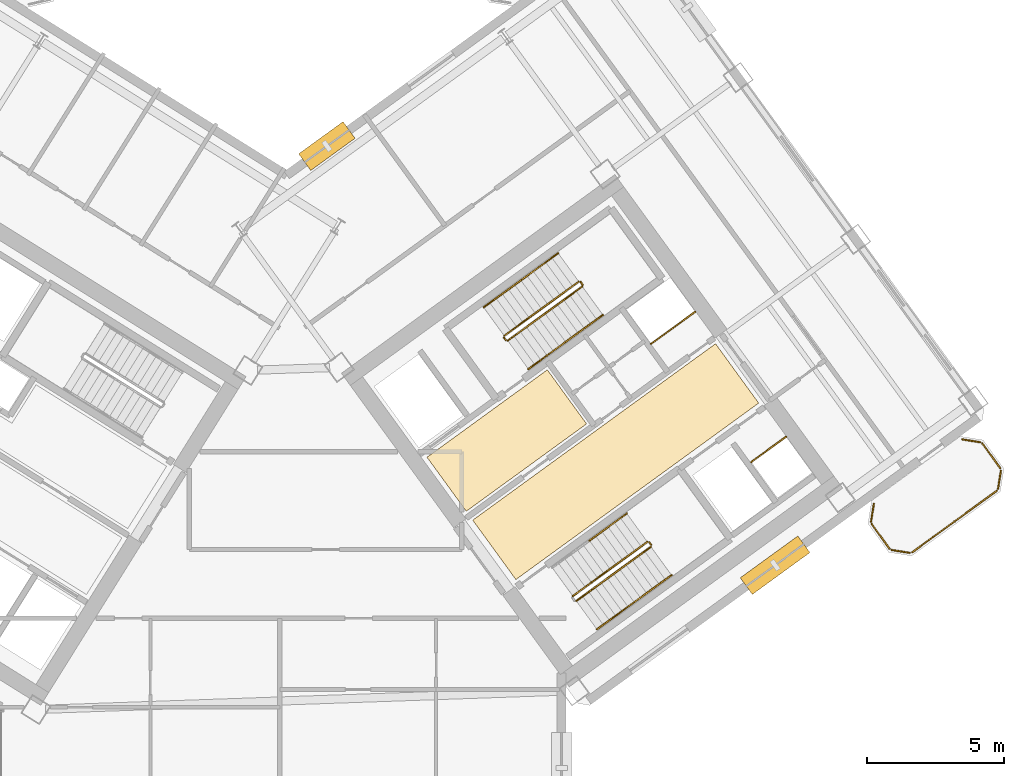
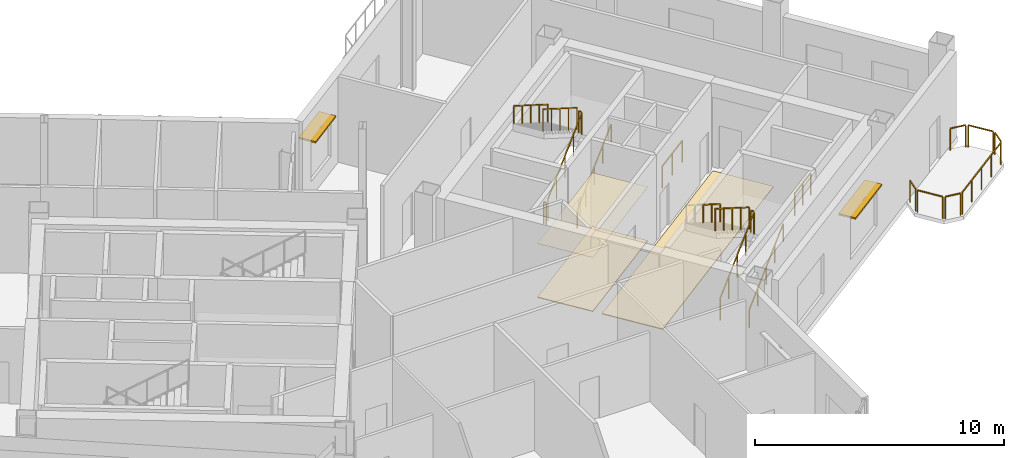
# One storey, part 19 of 20: 23 railings, 3 coverings, 2 shading devices.
"""IFC4 building model written with IfcOpenShell, lengths in metres."""

from ifc_helpers import new_model, si_unit, direction, frame, origin, origin_2d, place, context, subcontext, project, spatial, polyline, rectangle, outline, extrude, source, transform, mapped, material, layer, layer_set, type_object, element, save


model = new_model("IFC4")

# Units and contexts
model_context = context("Model", 3, precision=1e-05, world=origin(), true_north=direction((0.0, 1.0)))
body_context = subcontext(model_context, "Body", "Model", "MODEL_VIEW")
ifc_project = project(units=[si_unit("LENGTHUNIT", "METRE"), si_unit("AREAUNIT", "SQUARE_METRE"), si_unit("VOLUMEUNIT", "CUBIC_METRE"), si_unit("PLANEANGLEUNIT", "RADIAN"), si_unit("MASSUNIT", "GRAM", prefix="KILO")], contexts=[model_context])

# Site, building, storey
site_placement = place(None, origin())
site = spatial("IfcSite", under=ifc_project, at=site_placement, CompositionType="ELEMENT")
building_placement = place(site_placement, origin())
building = spatial("IfcBuilding", under=site, at=building_placement, Name="Tlacorven Tower", CompositionType="ELEMENT")
storey_placement = place(building_placement, frame((0.0, 0.0, 195.0)))
storey = spatial("IfcBuildingStorey", under=building, at=storey_placement, Name="L49", CompositionType="ELEMENT", Elevation=195.0)

# Coverings
ifc_material_1 = material(Name="Acoustic mineral-fibre ceiling")
ifc_layer_1 = layer(ifc_material_1, 0.02490234375)
ifc_layer_set_1 = layer_set([ifc_layer_1], Name="Acoustic mineral-fibre ceiling")
covering_type_1 = type_object("IfcCoveringType", Name="CV-CLG-ACST", PredefinedType="CEILING", material=ifc_layer_set_1)
covering_1_placement = place(storey_placement, frame((0.0, 0.0, 2.64990234375)))
element("IfcCovering", 1, at=covering_1_placement, inside=storey, type_object=covering_type_1, Name="L49 Acoustic Suspended Ceiling 3", PredefinedType="CEILING", context=body_context, shape_type="SweptSolid", body=[
    extrude(outline(polyline([(48.760498046875, 19.326171875), (47.326171875, 21.300048828125), (51.71923828125, 24.49169921875), (53.1533203125, 22.517822265625), (48.760498046875, 19.326171875)])), origin(), (0.0, 0.0, 1.0), 0.025146484375),
])
ifc_material_2 = material(Name="Terrazzo and ceramic flooring")
ifc_layer_2 = layer(ifc_material_2, 0.0400390625)
ifc_layer_set_2 = layer_set([ifc_layer_2], Name="Terrazzo and ceramic flooring")
covering_type_2 = type_object("IfcCoveringType", Name="CV-FLR-TERZ", PredefinedType="FLOORING", material=ifc_layer_set_2)
covering_2_placement = place(storey_placement, origin())
element("IfcCovering", 2, at=covering_2_placement, inside=storey, type_object=covering_type_2, Name="L49 Terrazzo Floor Finish 3", PredefinedType="FLOORING", context=body_context, shape_type="SweptSolid", body=[
    extrude(outline(polyline([(48.760498046875, 19.326171875), (47.326171875, 21.300048828125), (51.71923828125, 24.49169921875), (53.1533203125, 22.517822265625), (48.760498046875, 19.326171875)])), origin(), (0.0, 0.0, 1.0), 0.0400390625),
])
covering_3_placement = place(storey_placement, origin())
element("IfcCovering", 3, at=covering_3_placement, inside=storey, type_object=covering_type_2, Name="L49 Terrazzo Floor Finish 4", PredefinedType="FLOORING", context=body_context, shape_type="SweptSolid", body=[
    extrude(outline(polyline([(50.57080078125, 16.834228515625), (48.99560546875, 19.00244140625), (57.8623046875, 25.444580078125), (59.437744140625, 23.2763671875), (50.57080078125, 16.834228515625)])), origin(), (0.0, 0.0, 1.0), 0.0400390625),
])

# Railings
ifc_material_3 = material(Name="Aluminium and painted steel balustrade", Category="steel")
railing_type_1 = type_object("IfcRailingType", Name="RL-GRD-1100", PredefinedType="GUARDRAIL", material=ifc_material_3)
shared_shape_1 = source(origin(), body_context, "Body", "SweptSolid", [
    extrude(rectangle(XDim=0.048095703125, YDim=0.048095703125, at=origin_2d()), frame((0.0, 0.0, 1.076171875), z_axis=(0.808947177504, 0.587881334972, 0.0), x_axis=(-0.587881334972, 0.808947177504, 0.0)), (0.0, 0.0, 1.0), 2.0),
    extrude(rectangle(XDim=0.0419921875, YDim=0.0419921875, at=origin_2d()), origin(), (0.0, 0.0, 1.0), 1.052001953125),
    extrude(rectangle(XDim=0.0419921875, YDim=0.0419921875, at=origin_2d()), frame((0.80908203125, 0.587890625, 0.0)), (0.0, 0.0, 1.0), 1.052001953125),
    extrude(rectangle(XDim=0.0419921875, YDim=0.0419921875, at=origin_2d()), frame((1.617919921875, 1.17578125, 0.0)), (0.0, 0.0, 1.0), 1.052001953125),
])
railing_1_placement = place(storey_placement, frame((55.506103515625, 25.438232421875, 0.0)))
element("IfcRailing", 4, at=railing_1_placement, inside=storey, type_object=railing_type_1, Name="L49 Electrical Riser E Shaft Guard 1", PredefinedType="GUARDRAIL", context=body_context, shape_type="MappedRepresentation", body=[
    mapped(shared_shape_1, transform((0.0, 0.0, 0.0), scale=1.0)),
])
shared_shape_2 = source(origin(), body_context, "Body", "SweptSolid", [
    extrude(rectangle(XDim=0.048095703125, YDim=0.048095703125, at=origin_2d()), frame((0.0, 0.0, 1.076171875), z_axis=(0.809029975545, 0.58776738483, 0.0), x_axis=(-0.58776738483, 0.809029975545, 0.0)), (0.0, 0.0, 1.0), 1.580078125),
    extrude(rectangle(XDim=0.0419921875, YDim=0.0419921875, at=origin_2d()), origin(), (0.0, 0.0, 1.0), 1.052001953125),
    extrude(rectangle(XDim=0.0419921875, YDim=0.0419921875, at=origin_2d()), frame((0.63916015625, 0.46435546875, 0.0)), (0.0, 0.0, 1.0), 1.052001953125),
    extrude(rectangle(XDim=0.0419921875, YDim=0.0419921875, at=origin_2d()), frame((1.2783203125, 0.9287109375, 0.0)), (0.0, 0.0, 1.0), 1.052001953125),
])
railing_2_placement = place(storey_placement, frame((59.160888671875, 21.122314453125, 0.0)))
element("IfcRailing", 5, at=railing_2_placement, inside=storey, type_object=railing_type_1, Name="L49 Smoke Riser E Shaft Guard 1", PredefinedType="GUARDRAIL", context=body_context, shape_type="MappedRepresentation", body=[
    mapped(shared_shape_2, transform((0.0, 0.0, 0.0), scale=1.0)),
])
railing_type_2 = type_object("IfcRailingType", Name="RL-BAL-1100", PredefinedType="BALUSTRADE", material=ifc_material_3)
shared_shape_3 = source(origin(), body_context, "Body", "SweptSolid", [
    extrude(rectangle(XDim=0.048095703125, YDim=0.048095703125, at=origin_2d()), frame((0.0, 0.0, 1.076171875), z_axis=(0.156602868908, 0.987661653326, 0.0), x_axis=(-0.987661653326, 0.156602868908, 0.0)), (0.0, 0.0, 1.0), 0.665771484375),
    extrude(rectangle(XDim=0.0419921875, YDim=0.0419921875, at=origin_2d()), origin(), (0.0, 0.0, 1.0), 1.052001953125),
    extrude(rectangle(XDim=0.0419921875, YDim=0.0419921875, at=origin_2d()), frame((0.104248046875, 0.657470703125, 0.0)), (0.0, 0.0, 1.0), 1.052001953125),
])
railing_3_placement = place(storey_placement, frame((63.539306640625, 18.949951171875, 0.0)))
element("IfcRailing", 6, at=railing_3_placement, inside=storey, type_object=railing_type_2, Name="BAL-L49-E-OUT Guard Railing 3", PredefinedType="BALUSTRADE", context=body_context, shape_type="MappedRepresentation", body=[
    mapped(shared_shape_3, transform((0.0, 0.0, 0.0), scale=1.0)),
])
shared_shape_4 = source(origin(), body_context, "Body", "SweptSolid", [
    extrude(rectangle(XDim=0.048095703125, YDim=0.048095703125, at=origin_2d()), frame((0.0, 0.0, 1.076171875), z_axis=(0.58788449985, -0.808944877501, 0.0), x_axis=(0.808944877501, 0.58788449985, 0.0)), (0.0, 0.0, 1.0), 1.112060546875),
    extrude(rectangle(XDim=0.0419921875, YDim=0.0419921875, at=origin_2d()), origin(), (0.0, 0.0, 1.0), 1.052001953125),
    extrude(rectangle(XDim=0.0419921875, YDim=0.0419921875, at=origin_2d()), frame((0.65380859375, -0.899658203125, 0.0)), (0.0, 0.0, 1.0), 1.052001953125),
])
railing_4_placement = place(storey_placement, frame((67.60595703125, 21.799072265625, 0.0)))
element("IfcRailing", 7, at=railing_4_placement, inside=storey, type_object=railing_type_2, Name="BAL-L49-E-OUT Guard Railing 5", PredefinedType="BALUSTRADE", context=body_context, shape_type="MappedRepresentation", body=[
    mapped(shared_shape_4, transform((0.0, 0.0, 0.0), scale=1.0)),
])
shared_shape_5 = source(origin(), body_context, "Body", "SweptSolid", [
    extrude(rectangle(XDim=0.048095703125, YDim=0.048095703125, at=origin_2d()), frame((0.0, 0.0, 1.076171875), z_axis=(-0.809018102573, -0.587783726986, 0.0), x_axis=(0.587783726986, -0.809018102573, 0.0)), (0.0, 0.0, 1.0), 3.817138671875),
    extrude(rectangle(XDim=0.0419921875, YDim=0.0419921875, at=origin_2d()), origin(), (0.0, 0.0, 1.0), 1.052001953125),
    extrude(rectangle(XDim=0.0419921875, YDim=0.0419921875, at=origin_2d()), frame((-0.77197265625, -0.56103515625, 0.0)), (0.0, 0.0, 1.0), 1.052001953125),
    extrude(rectangle(XDim=0.0419921875, YDim=0.0419921875, at=origin_2d()), frame((-1.5439453125, -1.121826171875, 0.0)), (0.0, 0.0, 1.0), 1.052001953125),
    extrude(rectangle(XDim=0.0419921875, YDim=0.0419921875, at=origin_2d()), frame((-2.316162109375, -1.6826171875, 0.0)), (0.0, 0.0, 1.0), 1.052001953125),
    extrude(rectangle(XDim=0.0419921875, YDim=0.0419921875, at=origin_2d()), frame((-3.088134765625, -2.24365234375, 0.0)), (0.0, 0.0, 1.0), 1.052001953125),
])
railing_5_placement = place(storey_placement, frame((68.12890625, 20.0732421875, 0.0)))
element("IfcRailing", 8, at=railing_5_placement, inside=storey, type_object=railing_type_2, Name="BAL-L49-E-OUT Guard Railing 7", PredefinedType="BALUSTRADE", context=body_context, shape_type="MappedRepresentation", body=[
    mapped(shared_shape_5, transform((0.0, 0.0, 0.0), scale=1.0)),
])
shared_shape_6 = source(origin(), body_context, "Body", "SweptSolid", [
    extrude(rectangle(XDim=0.048095703125, YDim=0.048095703125, at=origin_2d()), frame((0.0, 0.0, 1.076171875), z_axis=(-0.987718317463, 0.156245081039, 0.0), x_axis=(-0.156245081039, -0.987718317463, 0.0)), (0.0, 0.0, 1.0), 0.66552734375),
    extrude(rectangle(XDim=0.0419921875, YDim=0.0419921875, at=origin_2d()), origin(), (0.0, 0.0, 1.0), 1.052001953125),
    extrude(rectangle(XDim=0.0419921875, YDim=0.0419921875, at=origin_2d()), frame((-0.657470703125, 0.10400390625, 0.0)), (0.0, 0.0, 1.0), 1.052001953125),
])
railing_6_placement = place(storey_placement, frame((64.950927734375, 17.80810546875, 0.0)))
element("IfcRailing", 9, at=railing_6_placement, inside=storey, type_object=railing_type_2, Name="BAL-L49-E-OUT Guard Railing 1", PredefinedType="BALUSTRADE", context=body_context, shape_type="MappedRepresentation", body=[
    mapped(shared_shape_6, transform((0.0, 0.0, 0.0), scale=1.0)),
])
shared_shape_7 = source(origin(), body_context, "Body", "SweptSolid", [
    extrude(rectangle(XDim=0.048095703125, YDim=0.048095703125, at=origin_2d()), frame((0.0, 0.0, 1.076171875), z_axis=(-0.587740817519, 0.809049276263, 0.0), x_axis=(-0.809049276263, -0.587740817519, 0.0)), (0.0, 0.0, 1.0), 1.112060546875),
    extrude(rectangle(XDim=0.0419921875, YDim=0.0419921875, at=origin_2d()), origin(), (0.0, 0.0, 1.0), 1.052001953125),
    extrude(rectangle(XDim=0.0419921875, YDim=0.0419921875, at=origin_2d()), frame((-0.653564453125, 0.899658203125, 0.0)), (0.0, 0.0, 1.0), 1.052001953125),
])
railing_7_placement = place(storey_placement, frame((64.214599609375, 17.96044921875, 0.0)))
element("IfcRailing", 10, at=railing_7_placement, inside=storey, type_object=railing_type_2, Name="BAL-L49-E-OUT Guard Railing 2", PredefinedType="BALUSTRADE", context=body_context, shape_type="MappedRepresentation", body=[
    mapped(shared_shape_7, transform((0.0, 0.0, 0.0), scale=1.0)),
])
shared_shape_8 = source(origin(), body_context, "Body", "SweptSolid", [
    extrude(rectangle(XDim=0.048095703125, YDim=0.048095703125, at=origin_2d()), frame((0.0, 0.0, 1.076171875), z_axis=(-0.156245081039, -0.987718317463, 0.0), x_axis=(0.987718317463, -0.156245081039, 0.0)), (0.0, 0.0, 1.0), 0.66552734375),
    extrude(rectangle(XDim=0.0419921875, YDim=0.0419921875, at=origin_2d()), origin(), (0.0, 0.0, 1.0), 1.052001953125),
    extrude(rectangle(XDim=0.0419921875, YDim=0.0419921875, at=origin_2d()), frame((-0.10400390625, -0.657470703125, 0.0)), (0.0, 0.0, 1.0), 1.052001953125),
])
railing_8_placement = place(storey_placement, frame((68.28125, 20.8095703125, 0.0)))
element("IfcRailing", 11, at=railing_8_placement, inside=storey, type_object=railing_type_2, Name="BAL-L49-E-OUT Guard Railing 6", PredefinedType="BALUSTRADE", context=body_context, shape_type="MappedRepresentation", body=[
    mapped(shared_shape_8, transform((0.0, 0.0, 0.0), scale=1.0)),
])
shared_shape_9 = source(origin(), body_context, "Body", "SweptSolid", [
    extrude(rectangle(XDim=0.048095703125, YDim=0.048095703125, at=origin_2d()), frame((0.0, 0.0, 1.076171875), z_axis=(0.987727266442, -0.156188498702, 0.0), x_axis=(0.156188498702, 0.987727266442, 0.0)), (0.0, 0.0, 1.0), 0.665771484375),
    extrude(rectangle(XDim=0.0419921875, YDim=0.0419921875, at=origin_2d()), origin(), (0.0, 0.0, 1.0), 1.052001953125),
    extrude(rectangle(XDim=0.0419921875, YDim=0.0419921875, at=origin_2d()), frame((0.65771484375, -0.10400390625, 0.0)), (0.0, 0.0, 1.0), 1.052001953125),
])
railing_9_placement = place(storey_placement, frame((66.86962890625, 21.951416015625, 0.0)))
element("IfcRailing", 12, at=railing_9_placement, inside=storey, type_object=railing_type_2, Name="BAL-L49-E-OUT Guard Railing 4", PredefinedType="BALUSTRADE", context=body_context, shape_type="MappedRepresentation", body=[
    mapped(shared_shape_9, transform((0.0, 0.0, 0.0), scale=1.0)),
])

# Shading devices
ifc_material_4 = material(Name="Anodised bronze aluminium sunshade", Category="aluminium")
ifc_layer_3 = layer(ifc_material_4, 0.080078125)
ifc_layer_set_3 = layer_set([ifc_layer_3], Name="Anodised bronze aluminium sunshade")
shading_device_type = type_object("IfcShadingDeviceType", Name="SH-SUN-BRZ", PredefinedType="AWNING", material=ifc_layer_set_3)
shared_shape_10 = source(origin(), body_context, "Body", "SweptSolid", [
    extrude(rectangle(XDim=2.60009765625, YDim=0.75, at=origin_2d()), origin(), (0.0, 0.0, 1.0), 0.080078125),
])
shading_device_1_placement = place(storey_placement, frame((60.035888671875, 17.357666015625, 2.719970703125), z_axis=(0.0, 0.0, 1.0), x_axis=(-0.809016829126, -0.587785479738, 0.0)))
element("IfcShadingDevice", 13, at=shading_device_1_placement, inside=storey, type_object=shading_device_type, Name="L49 Solar Brise-Soleil Sunshade L49-06.1", PredefinedType="AWNING", context=body_context, shape_type="MappedRepresentation", body=[
    mapped(shared_shape_10, transform((0.0, 0.0, 0.0), scale=1.0)),
])
shared_shape_11 = source(origin(), body_context, "Body", "SweptSolid", [
    extrude(rectangle(XDim=2.0, YDim=0.75, at=origin_2d()), origin(), (0.0, 0.0, 1.0), 0.080078125),
])
shading_device_2_placement = place(storey_placement, frame((43.6708984375, 32.661376953125, 2.719970703125), z_axis=(0.0, 0.0, 1.0), x_axis=(0.809016703631, 0.587785652468, 0.0)))
element("IfcShadingDevice", 14, at=shading_device_2_placement, inside=storey, type_object=shading_device_type, Name="L49 Solar Brise-Soleil Sunshade L49-04.1", PredefinedType="AWNING", context=body_context, shape_type="MappedRepresentation", body=[
    mapped(shared_shape_11, transform((0.0, 0.0, 0.0), scale=1.0)),
])

# Railings
shared_shape_12 = source(origin(), body_context, "Body", "SweptSolid", [
    extrude(rectangle(XDim=0.048095703125, YDim=0.048095703125, at=origin_2d()), frame((0.0, 0.0, 1.076171875), z_axis=(-0.587567097037, 0.809175448515, 0.0), x_axis=(-0.809175448515, -0.587567097037, 0.0)), (0.0, 0.0, 1.0), 0.1201171875),
    extrude(rectangle(XDim=0.0419921875, YDim=0.0419921875, at=origin_2d()), origin(), (0.0, 0.0, 1.0), 1.052001953125),
    extrude(rectangle(XDim=0.0419921875, YDim=0.0419921875, at=origin_2d()), frame((-0.070556640625, 0.09716796875, 0.0)), (0.0, 0.0, 1.0), 1.052001953125),
])
for number, where, name in (
    (15, (53.006591796875, 27.6025390625, 2.25), "L49 ST-E1 stair guard 2"),
    (16, (55.510498046875, 18.099365234375, 2.25), "L49 ST-E2 stair guard 2"),
):
    element("IfcRailing", number, at=place(storey_placement, frame(where)), inside=storey, type_object=railing_type_1, Name=name, PredefinedType="GUARDRAIL", context=body_context, shape_type="MappedRepresentation", body=[
        mapped(shared_shape_12, transform((0.0, 0.0, 0.0), scale=1.0)),
    ])
shared_shape_13 = source(origin(), body_context, "Body", "SweptSolid", [
    extrude(rectangle(XDim=0.048095703125, YDim=0.048095703125, at=origin_2d()), frame((0.0, 0.0, 1.076171875), z_axis=(-0.587201422542, 0.809440849824, 0.0), x_axis=(-0.809440849824, -0.587201422542, 0.0)), (0.0, 0.0, 1.0), 0.11962890625),
    extrude(rectangle(XDim=0.0419921875, YDim=0.0419921875, at=origin_2d()), origin(), (0.0, 0.0, 1.0), 1.052001953125),
    extrude(rectangle(XDim=0.0419921875, YDim=0.0419921875, at=origin_2d()), frame((-0.0703125, 0.096923828125, 0.0)), (0.0, 0.0, 1.0), 1.052001953125),
])
railing_10_placement = place(storey_placement, frame((50.207275390625, 25.56884765625, 0.0)))
element("IfcRailing", 17, at=railing_10_placement, inside=storey, type_object=railing_type_1, Name="L49 ST-E1 stair guard 4", PredefinedType="GUARDRAIL", context=body_context, shape_type="MappedRepresentation", body=[
    mapped(shared_shape_13, transform((0.0, 0.0, 0.0), scale=1.0)),
])
shared_shape_14 = source(origin(), body_context, "Body", "SweptSolid", [
    extrude(rectangle(XDim=0.048095703125, YDim=0.048095703125, at=origin_2d()), frame((0.0, 0.0, 1.076171875), z_axis=(0.688166980386, 0.499962520599, 0.525798141023), x_axis=(-0.587769819143, 0.809028206989, 0.0)), (0.0, 0.0, 1.0), 3.949951171875),
    extrude(rectangle(XDim=0.0419921875, YDim=0.0419921875, at=origin_2d()), origin(), (0.0, 0.0, 1.0), 1.052001953125),
    extrude(rectangle(XDim=0.0419921875, YDim=0.0419921875, at=origin_2d()), frame((0.6796875, 0.49365234375, 0.519287109375)), (0.0, 0.0, 1.0), 1.052001953125),
    extrude(rectangle(XDim=0.0419921875, YDim=0.0419921875, at=origin_2d()), frame((1.359130859375, 0.9873046875, 1.03857421875)), (0.0, 0.0, 1.0), 1.052001953125),
    extrude(rectangle(XDim=0.0419921875, YDim=0.0419921875, at=origin_2d()), frame((2.03857421875, 1.481201171875, 1.5576171875)), (0.0, 0.0, 1.0), 1.052001953125),
    extrude(rectangle(XDim=0.0419921875, YDim=0.0419921875, at=origin_2d()), frame((2.71826171875, 1.974853515625, 2.076904296875)), (0.0, 0.0, 1.0), 1.052001953125),
])
for number, where, name in (
    (18, (50.27734375, 25.557861328125, 0.173095703125), "L49 ST-E1 stair guard 1"),
    (19, (52.78125, 16.0546875, 0.173095703125), "L49 ST-E2 stair guard 1"),
):
    element("IfcRailing", number, at=place(storey_placement, frame(where)), inside=storey, type_object=railing_type_1, Name=name, PredefinedType="GUARDRAIL", context=body_context, shape_type="MappedRepresentation", body=[
        mapped(shared_shape_14, transform((0.0, 0.0, 0.0), scale=1.0)),
    ])
shared_shape_15 = source(origin(), body_context, "Body", "SweptSolid", [
    extrude(rectangle(XDim=0.048095703125, YDim=0.048095703125, at=origin_2d()), frame((0.0, 0.0, 1.076171875), z_axis=(-0.688166980386, -0.499962520599, 0.525798141023), x_axis=(0.587769819143, -0.809028206989, 0.0)), (0.0, 0.0, 1.0), 3.949951171875),
    extrude(rectangle(XDim=0.0419921875, YDim=0.0419921875, at=origin_2d()), origin(), (0.0, 0.0, 1.0), 1.052001953125),
    extrude(rectangle(XDim=0.0419921875, YDim=0.0419921875, at=origin_2d()), frame((-0.6796875, -0.49365234375, 0.519287109375)), (0.0, 0.0, 1.0), 1.052001953125),
    extrude(rectangle(XDim=0.0419921875, YDim=0.0419921875, at=origin_2d()), frame((-1.359130859375, -0.9873046875, 1.03857421875)), (0.0, 0.0, 1.0), 1.052001953125),
    extrude(rectangle(XDim=0.0419921875, YDim=0.0419921875, at=origin_2d()), frame((-2.03857421875, -1.481201171875, 1.5576171875)), (0.0, 0.0, 1.0), 1.052001953125),
    extrude(rectangle(XDim=0.0419921875, YDim=0.0419921875, at=origin_2d()), frame((-2.71826171875, -1.974853515625, 2.076904296875)), (0.0, 0.0, 1.0), 1.052001953125),
])
for number, where, name in (
    (20, (52.8662109375, 27.710693359375, 2.423095703125), "L49 ST-E1 stair guard 3"),
    (21, (55.3701171875, 18.20751953125, 2.423095703125), "L49 ST-E2 stair guard 3"),
):
    element("IfcRailing", number, at=place(storey_placement, frame(where)), inside=storey, type_object=railing_type_1, Name=name, PredefinedType="GUARDRAIL", context=body_context, shape_type="MappedRepresentation", body=[
        mapped(shared_shape_15, transform((0.0, 0.0, 0.0), scale=1.0)),
    ])
railing_type_3 = type_object("IfcRailingType", Name="RL-HND-0900", PredefinedType="HANDRAIL", material=ifc_material_3)
shared_shape_16 = source(origin(), body_context, "Body", "SweptSolid", [
    extrude(rectangle(XDim=0.048095703125, YDim=0.048095703125, at=origin_2d()), frame((0.0, 0.0, 0.8759765625), z_axis=(0.688123352181, 0.499992627909, 0.525826610414), x_axis=(-0.587817375869, 0.808993654256, 0.0)), (0.0, 0.0, 1.0), 1.97509765625),
    extrude(rectangle(XDim=0.0419921875, YDim=0.0419921875, at=origin_2d()), origin(), (0.0, 0.0, 1.0), 0.851806640625),
    extrude(rectangle(XDim=0.0419921875, YDim=0.0419921875, at=origin_2d()), frame((0.6796875, 0.49365234375, 0.519287109375)), (0.0, 0.0, 1.0), 0.851806640625),
    extrude(rectangle(XDim=0.0419921875, YDim=0.0419921875, at=origin_2d()), frame((1.359130859375, 0.987548828125, 1.03857421875)), (0.0, 0.0, 1.0), 0.851806640625),
])
railing_11_placement = place(storey_placement, frame((54.892822265625, 16.006591796875, 1.21142578125)))
element("IfcRailing", 22, at=railing_11_placement, inside=storey, type_object=railing_type_3, Name="L49 ST-E2 stair handrail 2", PredefinedType="HANDRAIL", context=body_context, shape_type="MappedRepresentation", body=[
    mapped(shared_shape_16, transform((0.0, 0.0, 0.0), scale=1.0)),
])
shared_shape_17 = source(origin(), body_context, "Body", "SweptSolid", [
    extrude(rectangle(XDim=0.048095703125, YDim=0.048095703125, at=origin_2d()), frame((0.0, 0.0, 0.8759765625), z_axis=(-0.688123352181, -0.499992627909, 0.525826610414), x_axis=(0.587817375869, -0.808993654256, 0.0)), (0.0, 0.0, 1.0), 1.97509765625),
    extrude(rectangle(XDim=0.0419921875, YDim=0.0419921875, at=origin_2d()), origin(), (0.0, 0.0, 1.0), 0.851806640625),
    extrude(rectangle(XDim=0.0419921875, YDim=0.0419921875, at=origin_2d()), frame((-0.6796875, -0.49365234375, 0.519287109375)), (0.0, 0.0, 1.0), 0.851806640625),
    extrude(rectangle(XDim=0.0419921875, YDim=0.0419921875, at=origin_2d()), frame((-1.359130859375, -0.987548828125, 1.03857421875)), (0.0, 0.0, 1.0), 0.851806640625),
])
railing_12_placement = place(storey_placement, frame((50.754638671875, 27.7587890625, 3.46142578125)))
element("IfcRailing", 23, at=railing_12_placement, inside=storey, type_object=railing_type_3, Name="L49 ST-E1 stair handrail 4", PredefinedType="HANDRAIL", context=body_context, shape_type="MappedRepresentation", body=[
    mapped(shared_shape_17, transform((0.0, 0.0, 0.0), scale=1.0)),
])
shared_shape_18 = source(origin(), body_context, "Body", "SweptSolid", [
    extrude(rectangle(XDim=0.048095703125, YDim=0.048095703125, at=origin_2d()), frame((0.0, 0.0, 0.8759765625), z_axis=(-0.688168076653, -0.500025124854, 0.525737170829), x_axis=(0.587817375869, -0.808993654256, 0.0)), (0.0, 0.0, 1.0), 1.97509765625),
    extrude(rectangle(XDim=0.0419921875, YDim=0.0419921875, at=origin_2d()), origin(), (0.0, 0.0, 1.0), 0.851806640625),
    extrude(rectangle(XDim=0.0419921875, YDim=0.0419921875, at=origin_2d()), frame((-0.6796875, -0.49365234375, 0.51904296875)), (0.0, 0.0, 1.0), 0.851806640625),
    extrude(rectangle(XDim=0.0419921875, YDim=0.0419921875, at=origin_2d()), frame((-1.359130859375, -0.987548828125, 1.038330078125)), (0.0, 0.0, 1.0), 0.851806640625),
])
for number, where, name in (
    (24, (52.11376953125, 28.746337890625, 2.423095703125), "L49 ST-E1 stair handrail 3"),
    (25, (54.617919921875, 19.2431640625, 2.423095703125), "L49 ST-E2 stair handrail 3"),
):
    element("IfcRailing", number, at=place(storey_placement, frame(where)), inside=storey, type_object=railing_type_3, Name=name, PredefinedType="HANDRAIL", context=body_context, shape_type="MappedRepresentation", body=[
        mapped(shared_shape_18, transform((0.0, 0.0, 0.0), scale=1.0)),
    ])
shared_shape_19 = source(origin(), body_context, "Body", "SweptSolid", [
    extrude(rectangle(XDim=0.048095703125, YDim=0.048095703125, at=origin_2d()), frame((0.0, 0.0, 0.8759765625), z_axis=(0.688168076653, 0.500025124854, 0.525737170829), x_axis=(-0.587817375869, 0.808993654256, 0.0)), (0.0, 0.0, 1.0), 1.97509765625),
    extrude(rectangle(XDim=0.0419921875, YDim=0.0419921875, at=origin_2d()), origin(), (0.0, 0.0, 1.0), 0.851806640625),
    extrude(rectangle(XDim=0.0419921875, YDim=0.0419921875, at=origin_2d()), frame((0.6796875, 0.49365234375, 0.51904296875)), (0.0, 0.0, 1.0), 0.851806640625),
    extrude(rectangle(XDim=0.0419921875, YDim=0.0419921875, at=origin_2d()), frame((1.359130859375, 0.987548828125, 1.038330078125)), (0.0, 0.0, 1.0), 0.851806640625),
])
for number, where, name in (
    (26, (51.029541015625, 24.522216796875, 0.173095703125), "L49 ST-E1 stair handrail 1"),
    (27, (53.53369140625, 15.01904296875, 0.173095703125), "L49 ST-E2 stair handrail 1"),
):
    element("IfcRailing", number, at=place(storey_placement, frame(where)), inside=storey, type_object=railing_type_3, Name=name, PredefinedType="HANDRAIL", context=body_context, shape_type="MappedRepresentation", body=[
        mapped(shared_shape_19, transform((0.0, 0.0, 0.0), scale=1.0)),
    ])
shared_shape_20 = source(origin(), body_context, "Body", "SweptSolid", [
    extrude(rectangle(XDim=0.048095703125, YDim=0.048095703125, at=origin_2d()), frame((0.0, 0.0, 0.8759765625), z_axis=(0.688165878867, 0.499899912725, 0.525859107006), x_axis=(-0.587722256323, 0.809062759879, 0.0)), (0.0, 0.0, 1.0), 1.97509765625),
    extrude(rectangle(XDim=0.0419921875, YDim=0.0419921875, at=origin_2d()), origin(), (0.0, 0.0, 1.0), 0.851806640625),
    extrude(rectangle(XDim=0.0419921875, YDim=0.0419921875, at=origin_2d()), frame((0.6796875, 0.49365234375, 0.519287109375)), (0.0, 0.0, 1.0), 0.851806640625),
    extrude(rectangle(XDim=0.0419921875, YDim=0.0419921875, at=origin_2d()), frame((1.359130859375, 0.9873046875, 1.03857421875)), (0.0, 0.0, 1.0), 0.851806640625),
])
railing_13_placement = place(storey_placement, frame((52.388671875, 25.509765625, 1.21142578125)))
element("IfcRailing", 28, at=railing_13_placement, inside=storey, type_object=railing_type_3, Name="L49 ST-E1 stair handrail 2", PredefinedType="HANDRAIL", context=body_context, shape_type="MappedRepresentation", body=[
    mapped(shared_shape_20, transform((0.0, 0.0, 0.0), scale=1.0)),
])

save(model, "model.ifc")
